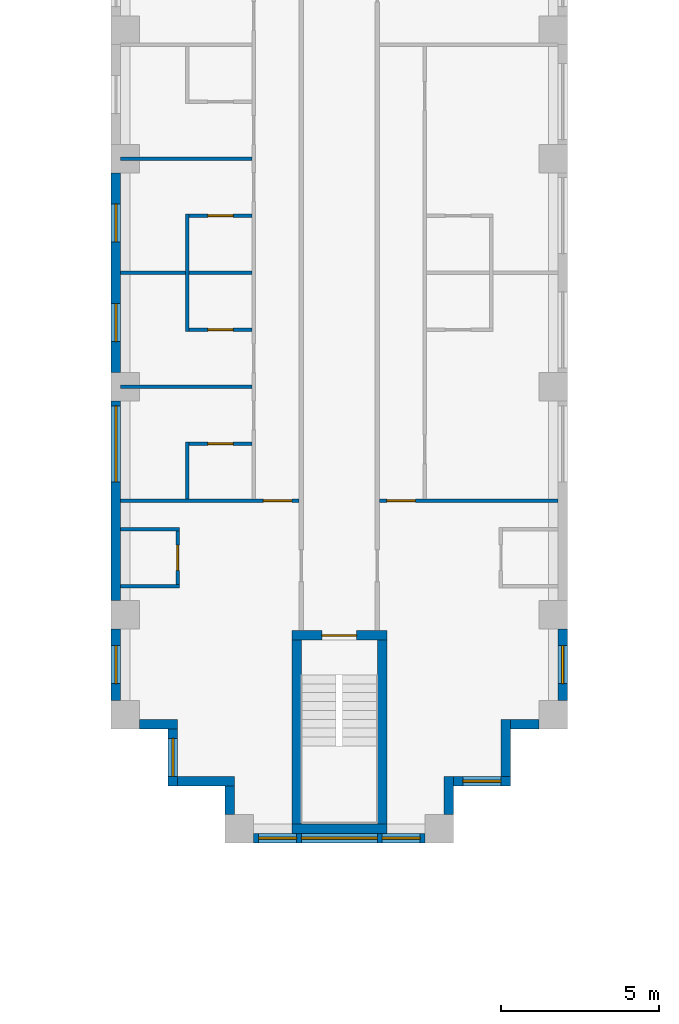
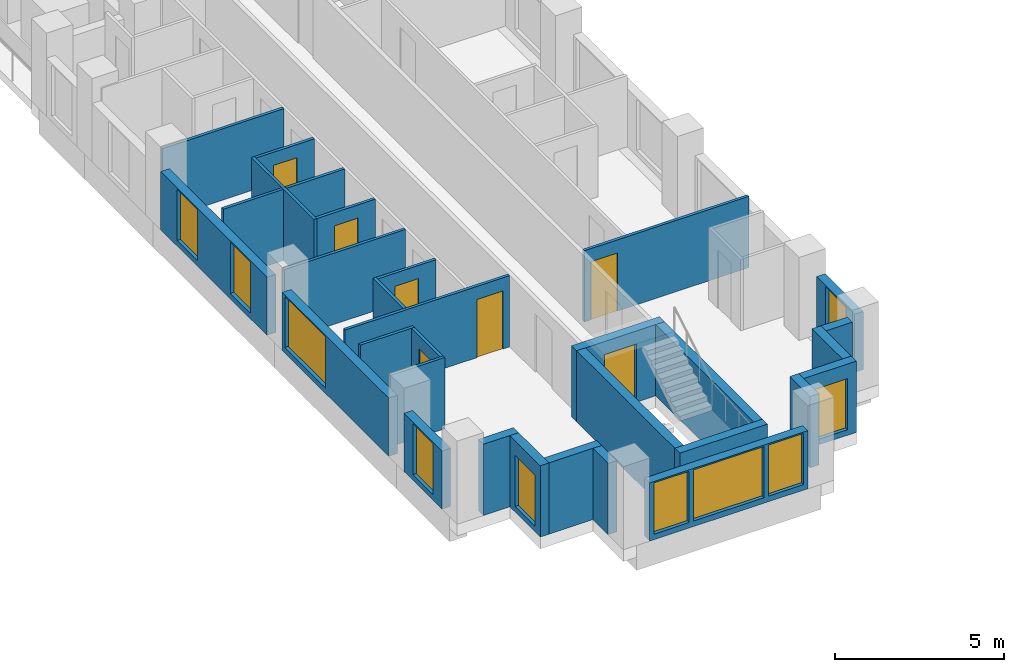
# One storey, part 3 of 15: 30 walls, 10 windows, 7 doors, 17 openings.
"""IFC4 building model written with IfcOpenShell, lengths in metres."""

from ifc_helpers import new_model, si_unit, direction, frame, frame_2d, origin, place, context, subcontext, project, spatial, rectangle, extrude, material, layer, layer_set, type_object, element, fill, save


model = new_model("IFC4")

# Units and contexts
model_context = context("Model", 3, precision=1e-05, world=origin(), true_north=direction((0.0, 1.0)))
body_context = subcontext(model_context, "Body", "Model", "MODEL_VIEW")
ifc_project = project(units=[si_unit("LENGTHUNIT", "METRE"), si_unit("AREAUNIT", "SQUARE_METRE"), si_unit("VOLUMEUNIT", "CUBIC_METRE"), si_unit("PLANEANGLEUNIT", "RADIAN"), si_unit("MASSUNIT", "GRAM", prefix="KILO")], contexts=[model_context])

# Site, building, storey
site_placement = place(None, origin())
site = spatial("IfcSite", under=ifc_project, at=site_placement, CompositionType="ELEMENT")
building_placement = place(site_placement, origin())
building = spatial("IfcBuilding", under=site, at=building_placement, Name="Fustian Cross Tower", CompositionType="ELEMENT")
storey_placement = place(building_placement, frame((0.0, 0.0, 11.699951171875)))
storey = spatial("IfcBuildingStorey", under=building, at=storey_placement, Name="L02", CompositionType="ELEMENT", Elevation=11.699951171875)

# Walls
ifc_material_1 = material(Name="Plasterboard on steel stud", Category="steel")
ifc_layer_1 = layer(ifc_material_1, 0.10009765625)
ifc_layer_set_1 = layer_set([ifc_layer_1], Name="Plasterboard on steel stud")
wall_type_1 = type_object("IfcWallType", Name="PARTITION 100 STUD", PredefinedType="PARTITIONING", material=ifc_layer_set_1)
for number, where, z_axis, x_axis, name in (
    (1, (-6.89990234375, -35.10009765625, 0.0), (0.0, 0.0, 1.0), (1.0, 0.0, 0.0), "Partition 10"),
    (2, (-6.89990234375, -33.300048828125, 0.0), (0.0, 0.0, 1.0), (1.0, 0.0, 0.0), "Partition 11"),
):
    element("IfcWall", number, at=place(storey_placement, frame(where, z_axis=z_axis, x_axis=x_axis)), inside=storey, type_object=wall_type_1, Name=name, PredefinedType="PARTITIONING", context=body_context, shape_type="SweptSolid", body=[
        extrude(rectangle(XDim=1.849853515625, YDim=0.10009765625, at=frame_2d((0.9248046875, 0.0))), origin(), (0.0, 0.0, 1.0), 2.574951171875),
    ])

# Wall, opening, door
wall_1_placement = place(storey_placement, frame((-6.89990234375, -32.39990234375, 0.0), z_axis=(0.0, 0.0, 1.0), x_axis=(1.0, 0.0, 0.0)))
wall_1 = element("IfcWall", 3, at=wall_1_placement, inside=storey, type_object=wall_type_1, Name="Partition 12", PredefinedType="PARTITIONING", context=body_context, shape_type="SweptSolid", body=[
    extrude(rectangle(XDim=5.625, YDim=0.10009765625, at=frame_2d((2.8125, 0.0))), origin(), (0.0, 0.0, 1.0), 2.574951171875),
])
opening_1_placement = place(wall_1_placement, frame((4.5, 0.0, 0.0)))
opening_1 = element("IfcOpeningElement", 4, at=opening_1_placement, cuts=wall_1, Name="Opening D04073", PredefinedType="OPENING", context=body_context, shape_type="SweptSolid", body=[
    extrude(rectangle(XDim=0.89990234375, YDim=2.10009765625, at=frame_2d((0.449951171875, 1.050048828125))), frame((0.0, 0.06005859375, 0.0), z_axis=(0.0, -1.0, 0.0), x_axis=(1.0, 0.0, 0.0)), (0.0, 0.0, 1.0), 0.1201171875),
])
ifc_material_2 = material(Name="Painted timber", Category="wood")
door_type_1 = type_object("IfcDoorType", Name="SWING DOOR 900", OperationType="SINGLE_SWING_LEFT", PredefinedType="DOOR", material=ifc_material_2)
door_1_placement = place(opening_1_placement, origin())
door_1 = element("IfcDoor", 5, at=door_1_placement, inside=storey, type_object=door_type_1, Name="Door D04073", OperationType="SINGLE_SWING_LEFT", OverallHeight=2.10009765625, OverallWidth=0.89990234375, PredefinedType="DOOR", context=body_context, shape_type="SweptSolid", body=[
    extrude(rectangle(XDim=0.89990234375, YDim=2.10009765625, at=frame_2d((0.449951171875, 1.050048828125))), frame((0.0, 0.02490234375, 0.0), z_axis=(0.0, -1.0, 0.0), x_axis=(1.0, 0.0, 0.0)), (0.0, 0.0, 1.0), 0.050048828125),
])
fill(opening_1, door_1)

# Walls
for number, where, z_axis, x_axis, name in (
    (6, (-6.89990234375, -28.800048828125, 0.0), (0.0, 0.0, 1.0), (1.0, 0.0, 0.0), "Partition 13"),
    (7, (-6.89990234375, -25.199951171875, 0.0), (0.0, 0.0, 1.0), (1.0, 0.0, 0.0), "Partition 14"),
    (8, (-6.89990234375, -21.60009765625, 0.0), (0.0, 0.0, 1.0), (1.0, 0.0, 0.0), "Partition 15"),
):
    element("IfcWall", number, at=place(storey_placement, frame(where, z_axis=z_axis, x_axis=x_axis)), inside=storey, type_object=wall_type_1, Name=name, PredefinedType="PARTITIONING", context=body_context, shape_type="SweptSolid", body=[
        extrude(rectangle(XDim=4.14990234375, YDim=0.10009765625, at=frame_2d((2.074951171875, 0.0))), origin(), (0.0, 0.0, 1.0), 2.574951171875),
    ])

# Wall, opening, door
wall_2_placement = place(storey_placement, frame((-5.10009765625, -35.050048828125, 0.0), z_axis=(0.0, 0.0, 1.0), x_axis=(0.0, 1.0, 0.0)))
wall_2 = element("IfcWall", 9, at=wall_2_placement, inside=storey, type_object=wall_type_1, Name="Partition 24", PredefinedType="PARTITIONING", context=body_context, shape_type="SweptSolid", body=[
    extrude(rectangle(XDim=1.699951171875, YDim=0.10009765625, at=frame_2d((0.85009765625, 0.0))), origin(), (0.0, 0.0, 1.0), 2.574951171875),
])
opening_2_placement = place(wall_2_placement, frame((0.449951171875, 0.0, 0.0)))
opening_2 = element("IfcOpeningElement", 10, at=opening_2_placement, cuts=wall_2, Name="Opening D04066", PredefinedType="OPENING", context=body_context, shape_type="SweptSolid", body=[
    extrude(rectangle(XDim=0.800048828125, YDim=2.10009765625, at=frame_2d((0.39990234375, 1.050048828125))), frame((0.0, 0.06005859375, 0.0), z_axis=(0.0, -1.0, 0.0), x_axis=(1.0, 0.0, 0.0)), (0.0, 0.0, 1.0), 0.1201171875),
])
ifc_material_3 = material(Name="Painted timber", Category="wood")
door_type_2 = type_object("IfcDoorType", Name="SWING DOOR 800", OperationType="SINGLE_SWING_LEFT", PredefinedType="DOOR", material=ifc_material_3)
door_2_placement = place(opening_2_placement, origin())
door_2 = element("IfcDoor", 11, at=door_2_placement, inside=storey, type_object=door_type_2, Name="Door D04066", OperationType="SINGLE_SWING_RIGHT", OverallHeight=2.10009765625, OverallWidth=0.800048828125, PredefinedType="DOOR", context=body_context, shape_type="SweptSolid", body=[
    extrude(rectangle(XDim=0.800048828125, YDim=2.10009765625, at=frame_2d((0.39990234375, 1.050048828125))), frame((0.0, 0.02490234375, 0.0), z_axis=(0.0, -1.0, 0.0), x_axis=(1.0, 0.0, 0.0)), (0.0, 0.0, 1.0), 0.050048828125),
])
fill(opening_2, door_2)

# Wall
wall_3_placement = place(storey_placement, frame((-4.800048828125, -32.35009765625, 0.0), z_axis=(0.0, 0.0, 1.0), x_axis=(0.0, 1.0, 0.0)))
element("IfcWall", 12, at=wall_3_placement, inside=storey, type_object=wall_type_1, Name="Partition 26", PredefinedType="PARTITIONING", context=body_context, shape_type="SweptSolid", body=[
    extrude(rectangle(XDim=1.800048828125, YDim=0.10009765625, at=frame_2d((0.89990234375, 0.0))), origin(), (0.0, 0.0, 1.0), 2.574951171875),
])

# Wall, opening, door
wall_4_placement = place(storey_placement, frame((-4.75, -30.60009765625, 0.0), z_axis=(0.0, 0.0, 1.0), x_axis=(1.0, 0.0, 0.0)))
wall_4 = element("IfcWall", 13, at=wall_4_placement, inside=storey, type_object=wall_type_1, Name="Partition 27", PredefinedType="PARTITIONING", context=body_context, shape_type="SweptSolid", body=[
    extrude(rectangle(XDim=2.0, YDim=0.10009765625, at=frame_2d((1.0, 0.0))), origin(), (0.0, 0.0, 1.0), 2.574951171875),
])
opening_3_placement = place(wall_4_placement, frame((0.60009765625, 0.0, 0.0)))
opening_3 = element("IfcOpeningElement", 14, at=opening_3_placement, cuts=wall_4, Name="Opening D04078", PredefinedType="OPENING", context=body_context, shape_type="SweptSolid", body=[
    extrude(rectangle(XDim=0.800048828125, YDim=2.10009765625, at=frame_2d((0.39990234375, 1.050048828125))), frame((0.0, 0.06005859375, 0.0), z_axis=(0.0, -1.0, 0.0), x_axis=(1.0, 0.0, 0.0)), (0.0, 0.0, 1.0), 0.1201171875),
])
door_3_placement = place(opening_3_placement, frame((0.800048828125, 0.0, 0.0), z_axis=(0.0, 0.0, 1.0), x_axis=(-1.0, 0.0, 0.0)))
door_3 = element("IfcDoor", 15, at=door_3_placement, inside=storey, type_object=door_type_2, Name="Door D04078", OperationType="SINGLE_SWING_RIGHT", OverallHeight=2.10009765625, OverallWidth=0.800048828125, PredefinedType="DOOR", context=body_context, shape_type="SweptSolid", body=[
    extrude(rectangle(XDim=0.800048828125, YDim=2.10009765625, at=frame_2d((0.39990234375, 1.050048828125))), frame((0.0, 0.02490234375, 0.0), z_axis=(0.0, -1.0, 0.0), x_axis=(1.0, 0.0, 0.0)), (0.0, 0.0, 1.0), 0.050048828125),
])
fill(opening_3, door_3)

# Wall
wall_5_placement = place(storey_placement, frame((-4.800048828125, -27.050048828125, 0.0), z_axis=(0.0, 0.0, 1.0), x_axis=(0.0, 1.0, 0.0)))
element("IfcWall", 16, at=wall_5_placement, inside=storey, type_object=wall_type_1, Name="Partition 28", PredefinedType="PARTITIONING", context=body_context, shape_type="SweptSolid", body=[
    extrude(rectangle(XDim=3.699951171875, YDim=0.10009765625, at=frame_2d((1.85009765625, 0.0))), origin(), (0.0, 0.0, 1.0), 2.574951171875),
])

# Wall, opening, door
wall_6_placement = place(storey_placement, frame((-4.75, -27.0, 0.0), z_axis=(0.0, 0.0, 1.0), x_axis=(1.0, 0.0, 0.0)))
wall_6 = element("IfcWall", 17, at=wall_6_placement, inside=storey, type_object=wall_type_1, Name="Partition 29", PredefinedType="PARTITIONING", context=body_context, shape_type="SweptSolid", body=[
    extrude(rectangle(XDim=2.0, YDim=0.10009765625, at=frame_2d((1.0, 0.0))), origin(), (0.0, 0.0, 1.0), 2.574951171875),
])
opening_4_placement = place(wall_6_placement, frame((0.60009765625, 0.0, 0.0)))
opening_4 = element("IfcOpeningElement", 18, at=opening_4_placement, cuts=wall_6, Name="Opening D04077", PredefinedType="OPENING", context=body_context, shape_type="SweptSolid", body=[
    extrude(rectangle(XDim=0.800048828125, YDim=2.10009765625, at=frame_2d((0.39990234375, 1.050048828125))), frame((0.0, 0.06005859375, 0.0), z_axis=(0.0, -1.0, 0.0), x_axis=(1.0, 0.0, 0.0)), (0.0, 0.0, 1.0), 0.1201171875),
])
door_4_placement = place(opening_4_placement, origin())
door_4 = element("IfcDoor", 19, at=door_4_placement, inside=storey, type_object=door_type_2, Name="Door D04077", OperationType="SINGLE_SWING_LEFT", OverallHeight=2.10009765625, OverallWidth=0.800048828125, PredefinedType="DOOR", context=body_context, shape_type="SweptSolid", body=[
    extrude(rectangle(XDim=0.800048828125, YDim=2.10009765625, at=frame_2d((0.39990234375, 1.050048828125))), frame((0.0, 0.02490234375, 0.0), z_axis=(0.0, -1.0, 0.0), x_axis=(1.0, 0.0, 0.0)), (0.0, 0.0, 1.0), 0.050048828125),
])
fill(opening_4, door_4)

wall_7_placement = place(storey_placement, frame((-4.75, -23.39990234375, 0.0), z_axis=(0.0, 0.0, 1.0), x_axis=(1.0, 0.0, 0.0)))
wall_7 = element("IfcWall", 20, at=wall_7_placement, inside=storey, type_object=wall_type_1, Name="Partition 30", PredefinedType="PARTITIONING", context=body_context, shape_type="SweptSolid", body=[
    extrude(rectangle(XDim=2.0, YDim=0.10009765625, at=frame_2d((1.0, 0.0))), origin(), (0.0, 0.0, 1.0), 2.574951171875),
])
opening_5_placement = place(wall_7_placement, frame((0.60009765625, 0.0, 0.0)))
opening_5 = element("IfcOpeningElement", 21, at=opening_5_placement, cuts=wall_7, Name="Opening D04076", PredefinedType="OPENING", context=body_context, shape_type="SweptSolid", body=[
    extrude(rectangle(XDim=0.800048828125, YDim=2.10009765625, at=frame_2d((0.39990234375, 1.050048828125))), frame((0.0, 0.06005859375, 0.0), z_axis=(0.0, -1.0, 0.0), x_axis=(1.0, 0.0, 0.0)), (0.0, 0.0, 1.0), 0.1201171875),
])
door_5_placement = place(opening_5_placement, frame((0.800048828125, 0.0, 0.0), z_axis=(0.0, 0.0, 1.0), x_axis=(-1.0, 0.0, 0.0)))
door_5 = element("IfcDoor", 22, at=door_5_placement, inside=storey, type_object=door_type_2, Name="Door D04076", OperationType="SINGLE_SWING_RIGHT", OverallHeight=2.10009765625, OverallWidth=0.800048828125, PredefinedType="DOOR", context=body_context, shape_type="SweptSolid", body=[
    extrude(rectangle(XDim=0.800048828125, YDim=2.10009765625, at=frame_2d((0.39990234375, 1.050048828125))), frame((0.0, 0.02490234375, 0.0), z_axis=(0.0, -1.0, 0.0), x_axis=(1.0, 0.0, 0.0)), (0.0, 0.0, 1.0), 0.050048828125),
])
fill(opening_5, door_5)

wall_8_placement = place(storey_placement, frame((1.27490234375, -32.39990234375, 0.0), z_axis=(0.0, 0.0, 1.0), x_axis=(1.0, 0.0, 0.0)))
wall_8 = element("IfcWall", 23, at=wall_8_placement, inside=storey, type_object=wall_type_1, Name="Partition 57", PredefinedType="PARTITIONING", context=body_context, shape_type="SweptSolid", body=[
    extrude(rectangle(XDim=5.625, YDim=0.10009765625, at=frame_2d((2.8125, 0.0))), origin(), (0.0, 0.0, 1.0), 2.574951171875),
])
opening_6_placement = place(wall_8_placement, frame((0.22509765625, 0.0, 0.0)))
opening_6 = element("IfcOpeningElement", 24, at=opening_6_placement, cuts=wall_8, Name="Opening D04060", PredefinedType="OPENING", context=body_context, shape_type="SweptSolid", body=[
    extrude(rectangle(XDim=0.89990234375, YDim=2.10009765625, at=frame_2d((0.449951171875, 1.050048828125))), frame((0.0, 0.06005859375, 0.0), z_axis=(0.0, -1.0, 0.0), x_axis=(1.0, 0.0, 0.0)), (0.0, 0.0, 1.0), 0.1201171875),
])
door_6_placement = place(opening_6_placement, origin())
door_6 = element("IfcDoor", 25, at=door_6_placement, inside=storey, type_object=door_type_1, Name="Door D04060", OperationType="SINGLE_SWING_LEFT", OverallHeight=2.10009765625, OverallWidth=0.89990234375, PredefinedType="DOOR", context=body_context, shape_type="SweptSolid", body=[
    extrude(rectangle(XDim=0.89990234375, YDim=2.10009765625, at=frame_2d((0.449951171875, 1.050048828125))), frame((0.0, 0.02490234375, 0.0), z_axis=(0.0, -1.0, 0.0), x_axis=(1.0, 0.0, 0.0)), (0.0, 0.0, 1.0), 0.050048828125),
])
fill(opening_6, door_6)

ifc_material_4 = material(Name="Concrete C50/60", Category="concrete")
ifc_layer_2 = layer(ifc_material_4, 0.300048828125)
ifc_layer_set_2 = layer_set([ifc_layer_2], Name="Concrete C50/60")
wall_type_2 = type_object("IfcWallType", Name="STAIR ENCLOSURE WALL 300 C50/60", PredefinedType="SHEAR", material=ifc_layer_set_2)
wall_9_placement = place(storey_placement, frame((-1.5, -36.64990234375, 0.0), z_axis=(0.0, 0.0, 1.0), x_axis=(1.0, 0.0, 0.0)))
wall_9 = element("IfcWall", 26, at=wall_9_placement, inside=storey, type_object=wall_type_2, Name="Stair enclosure wall", PredefinedType="SHEAR", context=body_context, shape_type="SweptSolid", body=[
    extrude(rectangle(XDim=3.0, YDim=0.300048828125, at=frame_2d((1.5, 0.0))), origin(), (0.0, 0.0, 1.0), 2.574951171875),
])
opening_7_placement = place(wall_9_placement, frame((0.949951171875, 0.0, 0.0)))
opening_7 = element("IfcOpeningElement", 27, at=opening_7_placement, cuts=wall_9, Name="Opening CD-04-30", PredefinedType="OPENING", context=body_context, shape_type="SweptSolid", body=[
    extrude(rectangle(XDim=1.10009765625, YDim=2.10009765625, at=frame_2d((0.550048828125, 1.050048828125))), frame((0.0, 0.159912109375, 0.0), z_axis=(0.0, -1.0, 0.0), x_axis=(1.0, 0.0, 0.0)), (0.0, 0.0, 1.0), 0.320068359375),
])
ifc_material_5 = material(Name="Steel", Category="steel")
door_type_3 = type_object("IfcDoorType", Name="FIRE DOOR FD60S 1100X2100", OperationType="SINGLE_SWING_LEFT", PredefinedType="DOOR", material=ifc_material_5)
door_7_placement = place(opening_7_placement, frame((1.10009765625, 0.0, 0.0), z_axis=(0.0, 0.0, 1.0), x_axis=(-1.0, 0.0, 0.0)))
door_7 = element("IfcDoor", 28, at=door_7_placement, inside=storey, type_object=door_type_3, Name="Core door CD-04-30", OperationType="SINGLE_SWING_RIGHT", OverallHeight=2.10009765625, OverallWidth=1.10009765625, PredefinedType="DOOR", context=body_context, shape_type="SweptSolid", body=[
    extrude(rectangle(XDim=1.10009765625, YDim=2.10009765625, at=frame_2d((0.550048828125, 1.050048828125))), frame((0.0, 0.02490234375, 0.0), z_axis=(0.0, -1.0, 0.0), x_axis=(1.0, 0.0, 0.0)), (0.0, 0.0, 1.0), 0.050048828125),
])
fill(opening_7, door_7)

# Walls
wall_10_placement = place(storey_placement, frame((-1.5, -42.75, 0.0), z_axis=(0.0, 0.0, 1.0), x_axis=(1.0, 0.0, 0.0)))
element("IfcWall", 29, at=wall_10_placement, inside=storey, type_object=wall_type_2, Name="Stair enclosure wall", PredefinedType="SHEAR", context=body_context, shape_type="SweptSolid", body=[
    extrude(rectangle(XDim=3.0, YDim=0.300048828125, at=frame_2d((1.5, 0.0))), origin(), (0.0, 0.0, 1.0), 2.574951171875),
])
for number, where, z_axis, x_axis, name in (
    (30, (-1.35009765625, -36.800048828125, 0.0), (0.0, 0.0, 1.0), (0.0, -1.0, 0.0), "Stair enclosure wall"),
    (31, (1.35009765625, -36.800048828125, 0.0), (0.0, 0.0, 1.0), (0.0, -1.0, 0.0), "Stair enclosure wall"),
):
    element("IfcWall", number, at=place(storey_placement, frame(where, z_axis=z_axis, x_axis=x_axis)), inside=storey, type_object=wall_type_2, Name=name, PredefinedType="SHEAR", context=body_context, shape_type="SweptSolid", body=[
        extrude(rectangle(XDim=5.800048828125, YDim=0.300048828125, at=frame_2d((2.89990234375, 0.0))), origin(), (0.0, 0.0, 1.0), 2.574951171875),
    ])

# Wall, openings, windows
ifc_material_6 = material(Name="Dark aluminium cladding on insulated backing wall", Category="aluminium")
ifc_layer_3 = layer(ifc_material_6, 0.300048828125)
ifc_layer_set_3 = layer_set([ifc_layer_3], Name="Dark aluminium cladding on insulated backing wall")
wall_type_3 = type_object("IfcWallType", Name="XW1 EXTERNAL WALL 300", PredefinedType="SOLIDWALL", material=ifc_layer_set_3)
wall_11_placement = place(storey_placement, frame((-7.050048828125, -22.050048828125, 0.0), z_axis=(0.0, 0.0, 1.0), x_axis=(0.0, -1.0, 0.0)))
wall_11 = element("IfcWall", 32, at=wall_11_placement, inside=storey, type_object=wall_type_3, Name="External wall", PredefinedType="SOLIDWALL", context=body_context, shape_type="SweptSolid", body=[
    extrude(rectangle(XDim=6.300048828125, YDim=0.300048828125, at=frame_2d((3.14990234375, 0.0))), origin(), (0.0, 0.0, 1.0), 2.10009765625),
])
opening_8_placement = place(wall_11_placement, frame((0.97509765625, 0.0, 0.199951171875)))
opening_8 = element("IfcOpeningElement", 33, at=opening_8_placement, cuts=wall_11, Name="Opening WN3", PredefinedType="OPENING", context=body_context, shape_type="SweptSolid", body=[
    extrude(rectangle(XDim=1.199951171875, YDim=1.85009765625, at=frame_2d((0.60009765625, 0.925048828125))), frame((0.0, 0.159912109375, 0.0), z_axis=(0.0, -1.0, 0.0), x_axis=(1.0, 0.0, 0.0)), (0.0, 0.0, 1.0), 0.320068359375),
])
opening_9_placement = place(wall_11_placement, frame((4.125, 0.0, 0.199951171875)))
opening_9 = element("IfcOpeningElement", 34, at=opening_9_placement, cuts=wall_11, Name="Opening WN3", PredefinedType="OPENING", context=body_context, shape_type="SweptSolid", body=[
    extrude(rectangle(XDim=1.199951171875, YDim=1.85009765625, at=frame_2d((0.60009765625, 0.925048828125))), frame((0.0, 0.159912109375, 0.0), z_axis=(0.0, -1.0, 0.0), x_axis=(1.0, 0.0, 0.0)), (0.0, 0.0, 1.0), 0.320068359375),
])
ifc_material_7 = material(Name="Dark anodised aluminium and double glazing", Category="aluminium")
window_type_1 = type_object("IfcWindowType", Name="WN3 WINDOW 1200X1850", PartitioningType="SINGLE_PANEL", PredefinedType="WINDOW", material=ifc_material_7)
window_1_placement = place(opening_8_placement, origin())
window_1 = element("IfcWindow", 35, at=window_1_placement, inside=storey, type_object=window_type_1, Name="Window", OverallHeight=1.85009765625, OverallWidth=1.199951171875, PartitioningType="SINGLE_PANEL", PredefinedType="WINDOW", context=body_context, shape_type="SweptSolid", body=[
    extrude(rectangle(XDim=1.199951171875, YDim=1.85009765625, at=frame_2d((0.60009765625, 0.925048828125))), frame((0.0, 0.030029296875, 0.0), z_axis=(0.0, -1.0, 0.0), x_axis=(1.0, 0.0, 0.0)), (0.0, 0.0, 1.0), 0.06005859375),
])
fill(opening_8, window_1)
window_2_placement = place(opening_9_placement, origin())
window_2 = element("IfcWindow", 36, at=window_2_placement, inside=storey, type_object=window_type_1, Name="Window", OverallHeight=1.85009765625, OverallWidth=1.199951171875, PartitioningType="SINGLE_PANEL", PredefinedType="WINDOW", context=body_context, shape_type="SweptSolid", body=[
    extrude(rectangle(XDim=1.199951171875, YDim=1.85009765625, at=frame_2d((0.60009765625, 0.925048828125))), frame((0.0, 0.030029296875, 0.0), z_axis=(0.0, -1.0, 0.0), x_axis=(1.0, 0.0, 0.0)), (0.0, 0.0, 1.0), 0.06005859375),
])
fill(opening_9, window_2)

# Wall, opening, window
wall_12_placement = place(storey_placement, frame((-7.050048828125, -29.25, 0.0), z_axis=(0.0, 0.0, 1.0), x_axis=(0.0, -1.0, 0.0)))
wall_12 = element("IfcWall", 37, at=wall_12_placement, inside=storey, type_object=wall_type_3, Name="External wall", PredefinedType="SOLIDWALL", context=body_context, shape_type="SweptSolid", body=[
    extrude(rectangle(XDim=6.300048828125, YDim=0.300048828125, at=frame_2d((3.14990234375, 0.0))), origin(), (0.0, 0.0, 1.0), 2.10009765625),
])
opening_10_placement = place(wall_12_placement, frame((0.14990234375, 0.0, 0.199951171875)))
opening_10 = element("IfcOpeningElement", 38, at=opening_10_placement, cuts=wall_12, Name="Opening WN1", PredefinedType="OPENING", context=body_context, shape_type="SweptSolid", body=[
    extrude(rectangle(XDim=2.39990234375, YDim=1.85009765625, at=frame_2d((1.199951171875, 0.925048828125))), frame((0.0, 0.159912109375, 0.0), z_axis=(0.0, -1.0, 0.0), x_axis=(1.0, 0.0, 0.0)), (0.0, 0.0, 1.0), 0.320068359375),
])
ifc_material_8 = material(Name="Dark anodised aluminium and double glazing", Category="aluminium")
window_type_2 = type_object("IfcWindowType", Name="WN1 WINDOW 2400X1850", PartitioningType="SINGLE_PANEL", PredefinedType="WINDOW", material=ifc_material_8)
window_3_placement = place(opening_10_placement, origin())
window_3 = element("IfcWindow", 39, at=window_3_placement, inside=storey, type_object=window_type_2, Name="Window", OverallHeight=1.85009765625, OverallWidth=2.39990234375, PartitioningType="SINGLE_PANEL", PredefinedType="WINDOW", context=body_context, shape_type="SweptSolid", body=[
    extrude(rectangle(XDim=2.39990234375, YDim=1.85009765625, at=frame_2d((1.199951171875, 0.925048828125))), frame((0.0, 0.030029296875, 0.0), z_axis=(0.0, -1.0, 0.0), x_axis=(1.0, 0.0, 0.0)), (0.0, 0.0, 1.0), 0.06005859375),
])
fill(opening_10, window_3)

wall_13_placement = place(storey_placement, frame((-7.050048828125, -36.449951171875, 0.0), z_axis=(0.0, 0.0, 1.0), x_axis=(0.0, -1.0, 0.0)))
wall_13 = element("IfcWall", 40, at=wall_13_placement, inside=storey, type_object=wall_type_3, Name="External wall", PredefinedType="SOLIDWALL", context=body_context, shape_type="SweptSolid", body=[
    extrude(rectangle(XDim=2.25, YDim=0.300048828125, at=frame_2d((1.125, 0.0))), origin(), (0.0, 0.0, 1.0), 2.10009765625),
])
opening_11_placement = place(wall_13_placement, frame((0.52490234375, 0.0, 0.199951171875)))
opening_11 = element("IfcOpeningElement", 41, at=opening_11_placement, cuts=wall_13, Name="Opening WN3", PredefinedType="OPENING", context=body_context, shape_type="SweptSolid", body=[
    extrude(rectangle(XDim=1.199951171875, YDim=1.85009765625, at=frame_2d((0.60009765625, 0.925048828125))), frame((0.0, 0.159912109375, 0.0), z_axis=(0.0, -1.0, 0.0), x_axis=(1.0, 0.0, 0.0)), (0.0, 0.0, 1.0), 0.320068359375),
])
window_4_placement = place(opening_11_placement, origin())
window_4 = element("IfcWindow", 42, at=window_4_placement, inside=storey, type_object=window_type_1, Name="Window", OverallHeight=1.85009765625, OverallWidth=1.199951171875, PartitioningType="SINGLE_PANEL", PredefinedType="WINDOW", context=body_context, shape_type="SweptSolid", body=[
    extrude(rectangle(XDim=1.199951171875, YDim=1.85009765625, at=frame_2d((0.60009765625, 0.925048828125))), frame((0.0, 0.030029296875, 0.0), z_axis=(0.0, -1.0, 0.0), x_axis=(1.0, 0.0, 0.0)), (0.0, 0.0, 1.0), 0.06005859375),
])
fill(opening_11, window_4)

# Wall
wall_14_placement = place(storey_placement, frame((-6.300048828125, -39.449951171875, 0.0), z_axis=(0.0, 0.0, 1.0), x_axis=(1.0, 0.0, 0.0)))
element("IfcWall", 43, at=wall_14_placement, inside=storey, type_object=wall_type_3, Name="External wall", PredefinedType="SOLIDWALL", context=body_context, shape_type="SweptSolid", body=[
    extrude(rectangle(XDim=1.199951171875, YDim=0.300048828125, at=frame_2d((0.60009765625, 0.0))), origin(), (0.0, 0.0, 1.0), 2.574951171875),
])

# Wall, opening, window
wall_15_placement = place(storey_placement, frame((-5.25, -39.60009765625, 0.0), z_axis=(0.0, 0.0, 1.0), x_axis=(0.0, -1.0, 0.0)))
wall_15 = element("IfcWall", 44, at=wall_15_placement, inside=storey, type_object=wall_type_3, Name="External wall", PredefinedType="SOLIDWALL", context=body_context, shape_type="SweptSolid", body=[
    extrude(rectangle(XDim=1.7998046875, YDim=0.300048828125, at=frame_2d((0.89990234375, 0.0))), origin(), (0.0, 0.0, 1.0), 2.574951171875),
])
opening_12_placement = place(wall_15_placement, frame((0.300048828125, 0.0, 0.199951171875)))
opening_12 = element("IfcOpeningElement", 45, at=opening_12_placement, cuts=wall_15, Name="Opening WN3", PredefinedType="OPENING", context=body_context, shape_type="SweptSolid", body=[
    extrude(rectangle(XDim=1.199951171875, YDim=1.85009765625, at=frame_2d((0.60009765625, 0.925048828125))), frame((0.0, 0.159912109375, 0.0), z_axis=(0.0, -1.0, 0.0), x_axis=(1.0, 0.0, 0.0)), (0.0, 0.0, 1.0), 0.320068359375),
])
window_5_placement = place(opening_12_placement, origin())
window_5 = element("IfcWindow", 46, at=window_5_placement, inside=storey, type_object=window_type_1, Name="Window", OverallHeight=1.85009765625, OverallWidth=1.199951171875, PartitioningType="SINGLE_PANEL", PredefinedType="WINDOW", context=body_context, shape_type="SweptSolid", body=[
    extrude(rectangle(XDim=1.199951171875, YDim=1.85009765625, at=frame_2d((0.60009765625, 0.925048828125))), frame((0.0, 0.030029296875, 0.0), z_axis=(0.0, -1.0, 0.0), x_axis=(1.0, 0.0, 0.0)), (0.0, 0.0, 1.0), 0.06005859375),
])
fill(opening_12, window_5)

# Walls
wall_16_placement = place(storey_placement, frame((-5.10009765625, -41.25, 0.0), z_axis=(0.0, 0.0, 1.0), x_axis=(1.0, 0.0, 0.0)))
element("IfcWall", 47, at=wall_16_placement, inside=storey, type_object=wall_type_3, Name="External wall", PredefinedType="SOLIDWALL", context=body_context, shape_type="SweptSolid", body=[
    extrude(rectangle(XDim=1.800048828125, YDim=0.300048828125, at=frame_2d((0.89990234375, 0.0))), origin(), (0.0, 0.0, 1.0), 2.574951171875),
])
wall_17_placement = place(storey_placement, frame((-3.449951171875, -41.39990234375, 0.0), z_axis=(0.0, 0.0, 1.0), x_axis=(0.0, -1.0, 0.0)))
element("IfcWall", 48, at=wall_17_placement, inside=storey, type_object=wall_type_3, Name="External wall", PredefinedType="SOLIDWALL", context=body_context, shape_type="SweptSolid", body=[
    extrude(rectangle(XDim=0.900146484375, YDim=0.300048828125, at=frame_2d((0.4501953125, 0.0))), origin(), (0.0, 0.0, 1.0), 2.574951171875),
])

# Wall, openings, windows
wall_18_placement = place(storey_placement, frame((-2.699951171875, -43.050048828125, 0.0), z_axis=(0.0, 0.0, 1.0), x_axis=(1.0, 0.0, 0.0)))
wall_18 = element("IfcWall", 49, at=wall_18_placement, inside=storey, type_object=wall_type_3, Name="External wall", PredefinedType="SOLIDWALL", context=body_context, shape_type="SweptSolid", body=[
    extrude(rectangle(XDim=5.39990234375, YDim=0.300048828125, at=frame_2d((2.699951171875, 0.0))), origin(), (0.0, 0.0, 1.0), 2.10009765625),
])
opening_13_placement = place(wall_18_placement, frame((1.5, 0.0, 0.199951171875)))
opening_13 = element("IfcOpeningElement", 50, at=opening_13_placement, cuts=wall_18, Name="Opening WN1", PredefinedType="OPENING", context=body_context, shape_type="SweptSolid", body=[
    extrude(rectangle(XDim=2.39990234375, YDim=1.85009765625, at=frame_2d((1.199951171875, 0.925048828125))), frame((0.0, 0.159912109375, 0.0), z_axis=(0.0, -1.0, 0.0), x_axis=(1.0, 0.0, 0.0)), (0.0, 0.0, 1.0), 0.320068359375),
])
opening_14_placement = place(wall_18_placement, frame((0.14990234375, 0.0, 0.199951171875)))
opening_14 = element("IfcOpeningElement", 51, at=opening_14_placement, cuts=wall_18, Name="Opening WN3", PredefinedType="OPENING", context=body_context, shape_type="SweptSolid", body=[
    extrude(rectangle(XDim=1.199951171875, YDim=1.85009765625, at=frame_2d((0.60009765625, 0.925048828125))), frame((0.0, 0.159912109375, 0.0), z_axis=(0.0, -1.0, 0.0), x_axis=(1.0, 0.0, 0.0)), (0.0, 0.0, 1.0), 0.320068359375),
])
opening_15_placement = place(wall_18_placement, frame((4.050048828125, 0.0, 0.199951171875)))
opening_15 = element("IfcOpeningElement", 52, at=opening_15_placement, cuts=wall_18, Name="Opening WN3", PredefinedType="OPENING", context=body_context, shape_type="SweptSolid", body=[
    extrude(rectangle(XDim=1.199951171875, YDim=1.85009765625, at=frame_2d((0.60009765625, 0.925048828125))), frame((0.0, 0.159912109375, 0.0), z_axis=(0.0, -1.0, 0.0), x_axis=(1.0, 0.0, 0.0)), (0.0, 0.0, 1.0), 0.320068359375),
])
window_6_placement = place(opening_13_placement, origin())
window_6 = element("IfcWindow", 53, at=window_6_placement, inside=storey, type_object=window_type_2, Name="Window", OverallHeight=1.85009765625, OverallWidth=2.39990234375, PartitioningType="SINGLE_PANEL", PredefinedType="WINDOW", context=body_context, shape_type="SweptSolid", body=[
    extrude(rectangle(XDim=2.39990234375, YDim=1.85009765625, at=frame_2d((1.199951171875, 0.925048828125))), frame((0.0, 0.030029296875, 0.0), z_axis=(0.0, -1.0, 0.0), x_axis=(1.0, 0.0, 0.0)), (0.0, 0.0, 1.0), 0.06005859375),
])
fill(opening_13, window_6)
window_7_placement = place(opening_14_placement, origin())
window_7 = element("IfcWindow", 54, at=window_7_placement, inside=storey, type_object=window_type_1, Name="Window", OverallHeight=1.85009765625, OverallWidth=1.199951171875, PartitioningType="SINGLE_PANEL", PredefinedType="WINDOW", context=body_context, shape_type="SweptSolid", body=[
    extrude(rectangle(XDim=1.199951171875, YDim=1.85009765625, at=frame_2d((0.60009765625, 0.925048828125))), frame((0.0, 0.030029296875, 0.0), z_axis=(0.0, -1.0, 0.0), x_axis=(1.0, 0.0, 0.0)), (0.0, 0.0, 1.0), 0.06005859375),
])
fill(opening_14, window_7)
window_8_placement = place(opening_15_placement, origin())
window_8 = element("IfcWindow", 55, at=window_8_placement, inside=storey, type_object=window_type_1, Name="Window", OverallHeight=1.85009765625, OverallWidth=1.199951171875, PartitioningType="SINGLE_PANEL", PredefinedType="WINDOW", context=body_context, shape_type="SweptSolid", body=[
    extrude(rectangle(XDim=1.199951171875, YDim=1.85009765625, at=frame_2d((0.60009765625, 0.925048828125))), frame((0.0, 0.030029296875, 0.0), z_axis=(0.0, -1.0, 0.0), x_axis=(1.0, 0.0, 0.0)), (0.0, 0.0, 1.0), 0.06005859375),
])
fill(opening_15, window_8)

# Wall
wall_19_placement = place(storey_placement, frame((3.449951171875, -42.300048828125, 0.0), z_axis=(0.0, 0.0, 1.0), x_axis=(0.0, 1.0, 0.0)))
element("IfcWall", 56, at=wall_19_placement, inside=storey, type_object=wall_type_3, Name="External wall", PredefinedType="SOLIDWALL", context=body_context, shape_type="SweptSolid", body=[
    extrude(rectangle(XDim=1.199951171875, YDim=0.300048828125, at=frame_2d((0.60009765625, 0.0))), origin(), (0.0, 0.0, 1.0), 2.574951171875),
])

# Wall, opening, window
wall_20_placement = place(storey_placement, frame((3.60009765625, -41.25, 0.0), z_axis=(0.0, 0.0, 1.0), x_axis=(1.0, 0.0, 0.0)))
wall_20 = element("IfcWall", 57, at=wall_20_placement, inside=storey, type_object=wall_type_3, Name="External wall", PredefinedType="SOLIDWALL", context=body_context, shape_type="SweptSolid", body=[
    extrude(rectangle(XDim=1.7998046875, YDim=0.300048828125, at=frame_2d((0.89990234375, 0.0))), origin(), (0.0, 0.0, 1.0), 2.574951171875),
])
opening_16_placement = place(wall_20_placement, frame((0.300048828125, 0.0, 0.199951171875)))
opening_16 = element("IfcOpeningElement", 58, at=opening_16_placement, cuts=wall_20, Name="Opening WN3", PredefinedType="OPENING", context=body_context, shape_type="SweptSolid", body=[
    extrude(rectangle(XDim=1.199951171875, YDim=1.85009765625, at=frame_2d((0.60009765625, 0.925048828125))), frame((0.0, 0.159912109375, 0.0), z_axis=(0.0, -1.0, 0.0), x_axis=(1.0, 0.0, 0.0)), (0.0, 0.0, 1.0), 0.320068359375),
])
window_9_placement = place(opening_16_placement, origin())
window_9 = element("IfcWindow", 59, at=window_9_placement, inside=storey, type_object=window_type_1, Name="Window", OverallHeight=1.85009765625, OverallWidth=1.199951171875, PartitioningType="SINGLE_PANEL", PredefinedType="WINDOW", context=body_context, shape_type="SweptSolid", body=[
    extrude(rectangle(XDim=1.199951171875, YDim=1.85009765625, at=frame_2d((0.60009765625, 0.925048828125))), frame((0.0, 0.030029296875, 0.0), z_axis=(0.0, -1.0, 0.0), x_axis=(1.0, 0.0, 0.0)), (0.0, 0.0, 1.0), 0.06005859375),
])
fill(opening_16, window_9)

# Walls
wall_21_placement = place(storey_placement, frame((5.25, -41.10009765625, 0.0), z_axis=(0.0, 0.0, 1.0), x_axis=(0.0, 1.0, 0.0)))
element("IfcWall", 60, at=wall_21_placement, inside=storey, type_object=wall_type_3, Name="External wall", PredefinedType="SOLIDWALL", context=body_context, shape_type="SweptSolid", body=[
    extrude(rectangle(XDim=1.800048828125, YDim=0.300048828125, at=frame_2d((0.89990234375, 0.0))), origin(), (0.0, 0.0, 1.0), 2.574951171875),
])
wall_22_placement = place(storey_placement, frame((5.39990234375, -39.449951171875, 0.0), z_axis=(0.0, 0.0, 1.0), x_axis=(1.0, 0.0, 0.0)))
element("IfcWall", 61, at=wall_22_placement, inside=storey, type_object=wall_type_3, Name="External wall", PredefinedType="SOLIDWALL", context=body_context, shape_type="SweptSolid", body=[
    extrude(rectangle(XDim=0.900146484375, YDim=0.300048828125, at=frame_2d((0.4501953125, 0.0))), origin(), (0.0, 0.0, 1.0), 2.574951171875),
])

# Wall, opening, window
wall_23_placement = place(storey_placement, frame((7.050048828125, -38.699951171875, 0.0), z_axis=(0.0, 0.0, 1.0), x_axis=(0.0, 1.0, 0.0)))
wall_23 = element("IfcWall", 62, at=wall_23_placement, inside=storey, type_object=wall_type_3, Name="External wall", PredefinedType="SOLIDWALL", context=body_context, shape_type="SweptSolid", body=[
    extrude(rectangle(XDim=2.25, YDim=0.300048828125, at=frame_2d((1.125, 0.0))), origin(), (0.0, 0.0, 1.0), 2.10009765625),
])
opening_17_placement = place(wall_23_placement, frame((0.52490234375, 0.0, 0.199951171875)))
opening_17 = element("IfcOpeningElement", 63, at=opening_17_placement, cuts=wall_23, Name="Opening WN3", PredefinedType="OPENING", context=body_context, shape_type="SweptSolid", body=[
    extrude(rectangle(XDim=1.199951171875, YDim=1.85009765625, at=frame_2d((0.60009765625, 0.925048828125))), frame((0.0, 0.159912109375, 0.0), z_axis=(0.0, -1.0, 0.0), x_axis=(1.0, 0.0, 0.0)), (0.0, 0.0, 1.0), 0.320068359375),
])
window_10_placement = place(opening_17_placement, origin())
window_10 = element("IfcWindow", 64, at=window_10_placement, inside=storey, type_object=window_type_1, Name="Window", OverallHeight=1.85009765625, OverallWidth=1.199951171875, PartitioningType="SINGLE_PANEL", PredefinedType="WINDOW", context=body_context, shape_type="SweptSolid", body=[
    extrude(rectangle(XDim=1.199951171875, YDim=1.85009765625, at=frame_2d((0.60009765625, 0.925048828125))), frame((0.0, 0.030029296875, 0.0), z_axis=(0.0, -1.0, 0.0), x_axis=(1.0, 0.0, 0.0)), (0.0, 0.0, 1.0), 0.06005859375),
])
fill(opening_17, window_10)

save(model, "model.ifc")
